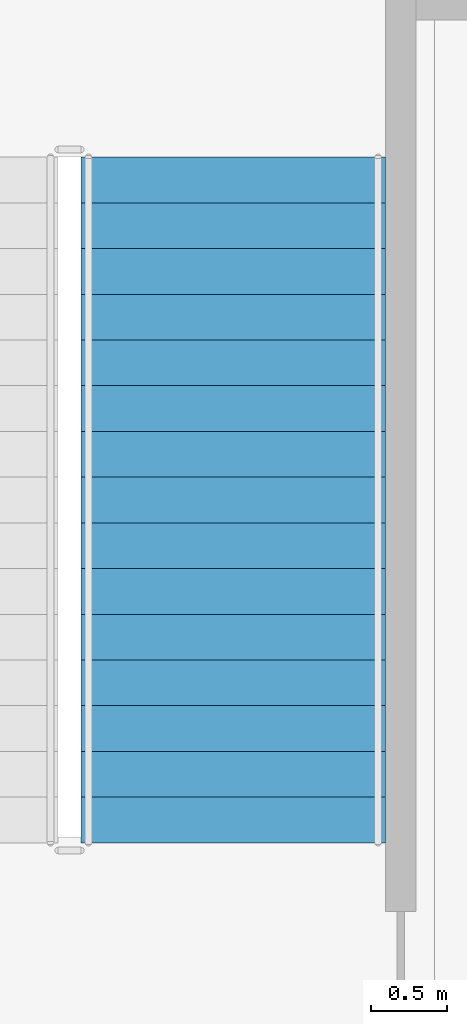
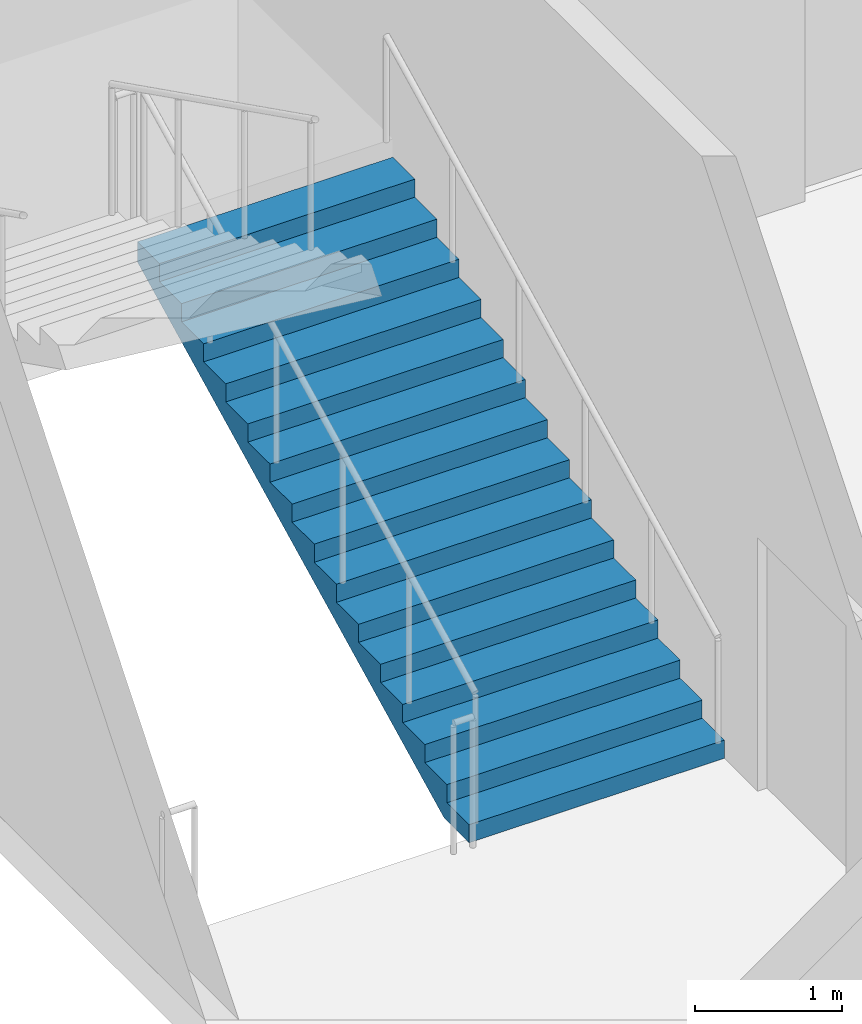
# One storey, part 59 of 86: 1 stair flight, 1 element without a shape of its own.
"""IFC4 building model written with IfcOpenShell, lengths in metres."""

from ifc_helpers import new_model, si_unit, direction, frame, origin, place, context, subcontext, project, spatial, faceted_brep, material, type_object, element, aggregate, save


model = new_model("IFC4")

# Units and contexts
model_context = context("Model", 3, precision=1e-05, world=origin(), true_north=direction((0.0, 1.0)))
body_context = subcontext(model_context, "Body", "Model", "MODEL_VIEW")
ifc_project = project(units=[si_unit("LENGTHUNIT", "METRE"), si_unit("AREAUNIT", "SQUARE_METRE"), si_unit("VOLUMEUNIT", "CUBIC_METRE"), si_unit("PLANEANGLEUNIT", "RADIAN"), si_unit("MASSUNIT", "GRAM", prefix="KILO")], contexts=[model_context])

# Site, building, storey
site_placement = place(None, origin())
site = spatial("IfcSite", under=ifc_project, at=site_placement, CompositionType="ELEMENT")
building_placement = place(site_placement, origin())
building = spatial("IfcBuilding", under=site, at=building_placement, Name="Kiln Court Media Centre", CompositionType="ELEMENT")
storey_placement = place(building_placement, frame((0.0, 0.0, 10.199951171875)))
storey = spatial("IfcBuildingStorey", under=building, at=storey_placement, Name="L02", CompositionType="ELEMENT", Elevation=10.199951171875)

# Stair, stair flight
ifc_material_1 = material(Name="Concrete C40/50", Category="concrete")
stair_type = type_object("IfcStairType", Name="Concrete C40/50 dog-leg stair 2000 wide, 150 riser", PredefinedType="HALF_TURN_STAIR", material=ifc_material_1)
stair_placement = place(storey_placement, origin())
stair = element("IfcStair", 1, at=stair_placement, inside=storey, type_object=stair_type, Name="ST-06 L02", PredefinedType="HALF_TURN_STAIR")
ifc_material_2 = material(Name="Concrete C40/50", Category="concrete")
stair_flight_type = type_object("IfcStairFlightType", Name="Concrete C40/50 stair flight 2000 wide, 150 riser, 300 going", PredefinedType="STRAIGHT", material=ifc_material_2)
stair_flight_placement = place(storey_placement, frame((3.60009765625, 36.39990234375, 0.0), z_axis=(0.0, 0.0, 1.0), x_axis=(0.0, 1.0, 0.0)))
stair_flight = element("IfcStairFlight", 2, at=stair_flight_placement, type_object=stair_flight_type, Name="L02-ST-5005 flight 5010", NumberOfRisers=16, NumberOfTreads=15, PredefinedType="STRAIGHT", RiserHeight=0.15, TreadLength=0.3, context=body_context, shape_type="Brep", body=[
    faceted_brep([(0.335205078125, -1.0, 0.0), (4.5, -1.0, 2.08251953125), (4.5, -1.0, 2.25), (4.199951171875, -1.0, 2.25), (4.199951171875, -1.0, 2.10009765625), (3.89990234375, -1.0, 2.10009765625), (3.89990234375, -1.0, 1.949951171875), (3.60009765625, -1.0, 1.949951171875), (3.60009765625, -1.0, 1.800048828125), (3.300048828125, -1.0, 1.800048828125), (3.300048828125, -1.0, 1.64990234375), (3.0, -1.0, 1.64990234375), (3.0, -1.0, 1.5), (2.699951171875, -1.0, 1.5), (2.699951171875, -1.0, 1.35009765625), (2.39990234375, -1.0, 1.35009765625), (2.39990234375, -1.0, 1.199951171875), (2.10009765625, -1.0, 1.199951171875), (2.10009765625, -1.0, 1.050048828125), (1.800048828125, -1.0, 1.050048828125), (1.800048828125, -1.0, 0.89990234375), (1.5, -1.0, 0.89990234375), (1.5, -1.0, 0.75), (1.199951171875, -1.0, 0.75), (1.199951171875, -1.0, 0.60009765625), (0.89990234375, -1.0, 0.60009765625), (0.89990234375, -1.0, 0.449951171875), (0.60009765625, -1.0, 0.449951171875), (0.60009765625, -1.0, 0.300048828125), (0.300048828125, -1.0, 0.300048828125), (0.300048828125, -1.0, 0.14990234375), (0.0, -1.0, 0.14990234375), (0.0, -1.0, 0.0), (0.0, 1.0, 0.0), (0.0, 1.0, 0.14990234375), (0.300048828125, 1.0, 0.14990234375), (0.300048828125, 1.0, 0.300048828125), (0.60009765625, 1.0, 0.300048828125), (0.60009765625, 1.0, 0.449951171875), (0.89990234375, 1.0, 0.449951171875), (0.89990234375, 1.0, 0.60009765625), (1.199951171875, 1.0, 0.60009765625), (1.199951171875, 1.0, 0.75), (1.5, 1.0, 0.75), (1.5, 1.0, 0.89990234375), (1.800048828125, 1.0, 0.89990234375), (1.800048828125, 1.0, 1.050048828125), (2.10009765625, 1.0, 1.050048828125), (2.10009765625, 1.0, 1.199951171875), (2.39990234375, 1.0, 1.199951171875), (2.39990234375, 1.0, 1.35009765625), (2.699951171875, 1.0, 1.35009765625), (2.699951171875, 1.0, 1.5), (3.0, 1.0, 1.5), (3.0, 1.0, 1.64990234375), (3.300048828125, 1.0, 1.64990234375), (3.300048828125, 1.0, 1.800048828125), (3.60009765625, 1.0, 1.800048828125), (3.60009765625, 1.0, 1.949951171875), (3.89990234375, 1.0, 1.949951171875), (3.89990234375, 1.0, 2.10009765625), (4.199951171875, 1.0, 2.10009765625), (4.199951171875, 1.0, 2.25), (4.5, 1.0, 2.25), (4.5, 1.0, 2.08251953125), (0.335205078125, 1.0, 0.0), (4.5, 0.10009765625, 2.08251953125), (0.335205078125, 0.10009765625, 0.0), (4.5, 0.080078125, 2.08251953125), (0.335205078125, 0.080078125, 0.0), (4.5, 0.06005859375, 2.08251953125), (0.335205078125, 0.06005859375, 0.0), (4.5, 0.0400390625, 2.08251953125), (0.335205078125, 0.0400390625, 0.0), (4.5, 0.02001953125, 2.08251953125), (0.335205078125, 0.02001953125, 0.0), (4.5, 0.0, 2.08251953125), (0.335205078125, 0.0, 0.0), (4.5, -0.02001953125, 2.08251953125), (0.335205078125, -0.02001953125, 0.0), (4.5, -0.0400390625, 2.08251953125), (0.335205078125, -0.0400390625, 0.0), (4.5, -0.06005859375, 2.08251953125), (0.335205078125, -0.06005859375, 0.0), (4.5, -0.080078125, 2.08251953125), (0.335205078125, -0.080078125, 0.0), (4.5, -0.10009765625, 2.08251953125), (0.335205078125, -0.10009765625, 0.0), (4.5, 0.10009765625, 2.25), (4.5, 0.080078125, 2.25), (4.5, 0.06005859375, 2.25), (4.5, 0.0400390625, 2.25), (4.5, 0.02001953125, 2.25), (4.5, 0.0, 2.25), (4.5, -0.02001953125, 2.25), (4.5, -0.0400390625, 2.25), (4.5, -0.06005859375, 2.25), (4.5, -0.080078125, 2.25), (4.5, -0.10009765625, 2.25), (4.199951171875, 0.10009765625, 2.25), (4.199951171875, 0.080078125, 2.25), (4.199951171875, 0.06005859375, 2.25), (4.199951171875, 0.0400390625, 2.25), (4.199951171875, 0.02001953125, 2.25), (4.199951171875, 0.0, 2.25), (4.199951171875, -0.02001953125, 2.25), (4.199951171875, -0.0400390625, 2.25), (4.199951171875, -0.06005859375, 2.25), (4.199951171875, -0.080078125, 2.25), (4.199951171875, -0.10009765625, 2.25), (4.199951171875, 0.10009765625, 2.10009765625), (4.199951171875, 0.080078125, 2.10009765625), (4.199951171875, 0.06005859375, 2.10009765625), (4.199951171875, 0.0400390625, 2.10009765625), (4.199951171875, 0.02001953125, 2.10009765625), (4.199951171875, 0.0, 2.10009765625), (4.199951171875, -0.02001953125, 2.10009765625), (4.199951171875, -0.0400390625, 2.10009765625), (4.199951171875, -0.06005859375, 2.10009765625), (4.199951171875, -0.080078125, 2.10009765625), (4.199951171875, -0.10009765625, 2.10009765625), (3.89990234375, 0.10009765625, 2.10009765625), (3.89990234375, 0.080078125, 2.10009765625), (3.89990234375, 0.06005859375, 2.10009765625), (3.89990234375, 0.0400390625, 2.10009765625), (3.89990234375, 0.02001953125, 2.10009765625), (3.89990234375, 0.0, 2.10009765625), (3.89990234375, -0.02001953125, 2.10009765625), (3.89990234375, -0.0400390625, 2.10009765625), (3.89990234375, -0.06005859375, 2.10009765625), (3.89990234375, -0.080078125, 2.10009765625), (3.89990234375, -0.10009765625, 2.10009765625), (3.89990234375, 0.10009765625, 1.949951171875), (3.89990234375, 0.080078125, 1.949951171875), (3.89990234375, 0.06005859375, 1.949951171875), (3.89990234375, 0.0400390625, 1.949951171875), (3.89990234375, 0.02001953125, 1.949951171875), (3.89990234375, 0.0, 1.949951171875), (3.89990234375, -0.02001953125, 1.949951171875), (3.89990234375, -0.0400390625, 1.949951171875), (3.89990234375, -0.06005859375, 1.949951171875), (3.89990234375, -0.080078125, 1.949951171875), (3.89990234375, -0.10009765625, 1.949951171875), (3.60009765625, 0.10009765625, 1.949951171875), (3.60009765625, 0.080078125, 1.949951171875), (3.60009765625, 0.06005859375, 1.949951171875), (3.60009765625, 0.0400390625, 1.949951171875), (3.60009765625, 0.02001953125, 1.949951171875), (3.60009765625, 0.0, 1.949951171875), (3.60009765625, -0.02001953125, 1.949951171875), (3.60009765625, -0.0400390625, 1.949951171875), (3.60009765625, -0.06005859375, 1.949951171875), (3.60009765625, -0.080078125, 1.949951171875), (3.60009765625, -0.10009765625, 1.949951171875), (3.60009765625, 0.10009765625, 1.800048828125), (3.60009765625, 0.080078125, 1.800048828125), (3.60009765625, 0.06005859375, 1.800048828125), (3.60009765625, 0.0400390625, 1.800048828125), (3.60009765625, 0.02001953125, 1.800048828125), (3.60009765625, 0.0, 1.800048828125), (3.60009765625, -0.02001953125, 1.800048828125), (3.60009765625, -0.0400390625, 1.800048828125), (3.60009765625, -0.06005859375, 1.800048828125), (3.60009765625, -0.080078125, 1.800048828125), (3.60009765625, -0.10009765625, 1.800048828125), (3.300048828125, 0.10009765625, 1.800048828125), (3.300048828125, 0.080078125, 1.800048828125), (3.300048828125, 0.06005859375, 1.800048828125), (3.300048828125, 0.0400390625, 1.800048828125), (3.300048828125, 0.02001953125, 1.800048828125), (3.300048828125, 0.0, 1.800048828125), (3.300048828125, -0.02001953125, 1.800048828125), (3.300048828125, -0.0400390625, 1.800048828125), (3.300048828125, -0.06005859375, 1.800048828125), (3.300048828125, -0.080078125, 1.800048828125), (3.300048828125, -0.10009765625, 1.800048828125), (3.300048828125, 0.10009765625, 1.64990234375), (3.300048828125, 0.080078125, 1.64990234375), (3.300048828125, 0.06005859375, 1.64990234375), (3.300048828125, 0.0400390625, 1.64990234375), (3.300048828125, 0.02001953125, 1.64990234375), (3.300048828125, 0.0, 1.64990234375), (3.300048828125, -0.02001953125, 1.64990234375), (3.300048828125, -0.0400390625, 1.64990234375), (3.300048828125, -0.06005859375, 1.64990234375), (3.300048828125, -0.080078125, 1.64990234375), (3.300048828125, -0.10009765625, 1.64990234375), (3.0, 0.10009765625, 1.64990234375), (3.0, 0.080078125, 1.64990234375), (3.0, 0.06005859375, 1.64990234375), (3.0, 0.0400390625, 1.64990234375), (3.0, 0.02001953125, 1.64990234375), (3.0, 0.0, 1.64990234375), (3.0, -0.02001953125, 1.64990234375), (3.0, -0.0400390625, 1.64990234375), (3.0, -0.06005859375, 1.64990234375), (3.0, -0.080078125, 1.64990234375), (3.0, -0.10009765625, 1.64990234375), (3.0, 0.10009765625, 1.5), (3.0, 0.080078125, 1.5), (3.0, 0.06005859375, 1.5), (3.0, 0.0400390625, 1.5), (3.0, 0.02001953125, 1.5), (3.0, 0.0, 1.5), (3.0, -0.02001953125, 1.5), (3.0, -0.0400390625, 1.5), (3.0, -0.06005859375, 1.5), (3.0, -0.080078125, 1.5), (3.0, -0.10009765625, 1.5), (2.699951171875, 0.10009765625, 1.5), (2.699951171875, 0.080078125, 1.5), (2.699951171875, 0.06005859375, 1.5), (2.699951171875, 0.0400390625, 1.5), (2.699951171875, 0.02001953125, 1.5), (2.699951171875, 0.0, 1.5), (2.699951171875, -0.02001953125, 1.5), (2.699951171875, -0.0400390625, 1.5), (2.699951171875, -0.06005859375, 1.5), (2.699951171875, -0.080078125, 1.5), (2.699951171875, -0.10009765625, 1.5), (2.699951171875, 0.10009765625, 1.35009765625), (2.699951171875, 0.080078125, 1.35009765625), (2.699951171875, 0.06005859375, 1.35009765625), (2.699951171875, 0.0400390625, 1.35009765625), (2.699951171875, 0.02001953125, 1.35009765625), (2.699951171875, 0.0, 1.35009765625), (2.699951171875, -0.02001953125, 1.35009765625), (2.699951171875, -0.0400390625, 1.35009765625), (2.699951171875, -0.06005859375, 1.35009765625), (2.699951171875, -0.080078125, 1.35009765625), (2.699951171875, -0.10009765625, 1.35009765625), (2.39990234375, 0.10009765625, 1.35009765625), (2.39990234375, 0.080078125, 1.35009765625), (2.39990234375, 0.06005859375, 1.35009765625), (2.39990234375, 0.0400390625, 1.35009765625), (2.39990234375, 0.02001953125, 1.35009765625), (2.39990234375, 0.0, 1.35009765625), (2.39990234375, -0.02001953125, 1.35009765625), (2.39990234375, -0.0400390625, 1.35009765625), (2.39990234375, -0.06005859375, 1.35009765625), (2.39990234375, -0.080078125, 1.35009765625), (2.39990234375, -0.10009765625, 1.35009765625), (2.39990234375, 0.10009765625, 1.199951171875), (2.39990234375, 0.080078125, 1.199951171875), (2.39990234375, 0.06005859375, 1.199951171875), (2.39990234375, 0.0400390625, 1.199951171875), (2.39990234375, 0.02001953125, 1.199951171875), (2.39990234375, 0.0, 1.199951171875), (2.39990234375, -0.02001953125, 1.199951171875), (2.39990234375, -0.0400390625, 1.199951171875), (2.39990234375, -0.06005859375, 1.199951171875), (2.39990234375, -0.080078125, 1.199951171875), (2.39990234375, -0.10009765625, 1.199951171875), (2.10009765625, 0.10009765625, 1.199951171875), (2.10009765625, 0.080078125, 1.199951171875), (2.10009765625, 0.06005859375, 1.199951171875), (2.10009765625, 0.0400390625, 1.199951171875), (2.10009765625, 0.02001953125, 1.199951171875), (2.10009765625, 0.0, 1.199951171875), (2.10009765625, -0.02001953125, 1.199951171875), (2.10009765625, -0.0400390625, 1.199951171875), (2.10009765625, -0.06005859375, 1.199951171875), (2.10009765625, -0.080078125, 1.199951171875), (2.10009765625, -0.10009765625, 1.199951171875), (2.10009765625, 0.10009765625, 1.050048828125), (2.10009765625, 0.080078125, 1.050048828125), (2.10009765625, 0.06005859375, 1.050048828125), (2.10009765625, 0.0400390625, 1.050048828125), (2.10009765625, 0.02001953125, 1.050048828125), (2.10009765625, 0.0, 1.050048828125), (2.10009765625, -0.02001953125, 1.050048828125), (2.10009765625, -0.0400390625, 1.050048828125), (2.10009765625, -0.06005859375, 1.050048828125), (2.10009765625, -0.080078125, 1.050048828125), (2.10009765625, -0.10009765625, 1.050048828125), (1.800048828125, 0.10009765625, 1.050048828125), (1.800048828125, 0.080078125, 1.050048828125), (1.800048828125, 0.06005859375, 1.050048828125), (1.800048828125, 0.0400390625, 1.050048828125), (1.800048828125, 0.02001953125, 1.050048828125), (1.800048828125, 0.0, 1.050048828125), (1.800048828125, -0.02001953125, 1.050048828125), (1.800048828125, -0.0400390625, 1.050048828125), (1.800048828125, -0.06005859375, 1.050048828125), (1.800048828125, -0.080078125, 1.050048828125), (1.800048828125, -0.10009765625, 1.050048828125), (1.800048828125, 0.10009765625, 0.89990234375), (1.800048828125, 0.080078125, 0.89990234375), (1.800048828125, 0.06005859375, 0.89990234375), (1.800048828125, 0.0400390625, 0.89990234375), (1.800048828125, 0.02001953125, 0.89990234375), (1.800048828125, 0.0, 0.89990234375), (1.800048828125, -0.02001953125, 0.89990234375), (1.800048828125, -0.0400390625, 0.89990234375), (1.800048828125, -0.06005859375, 0.89990234375), (1.800048828125, -0.080078125, 0.89990234375), (1.800048828125, -0.10009765625, 0.89990234375), (1.5, 0.10009765625, 0.89990234375), (1.5, 0.080078125, 0.89990234375), (1.5, 0.06005859375, 0.89990234375), (1.5, 0.0400390625, 0.89990234375), (1.5, 0.02001953125, 0.89990234375), (1.5, 0.0, 0.89990234375), (1.5, -0.02001953125, 0.89990234375), (1.5, -0.0400390625, 0.89990234375), (1.5, -0.06005859375, 0.89990234375), (1.5, -0.080078125, 0.89990234375), (1.5, -0.10009765625, 0.89990234375), (1.5, 0.10009765625, 0.75), (1.5, 0.080078125, 0.75), (1.5, 0.06005859375, 0.75), (1.5, 0.0400390625, 0.75), (1.5, 0.02001953125, 0.75), (1.5, 0.0, 0.75), (1.5, -0.02001953125, 0.75), (1.5, -0.0400390625, 0.75), (1.5, -0.06005859375, 0.75), (1.5, -0.080078125, 0.75), (1.5, -0.10009765625, 0.75), (1.199951171875, 0.10009765625, 0.75), (1.199951171875, 0.080078125, 0.75), (1.199951171875, 0.06005859375, 0.75), (1.199951171875, 0.0400390625, 0.75), (1.199951171875, 0.02001953125, 0.75), (1.199951171875, 0.0, 0.75), (1.199951171875, -0.02001953125, 0.75), (1.199951171875, -0.0400390625, 0.75), (1.199951171875, -0.06005859375, 0.75), (1.199951171875, -0.080078125, 0.75), (1.199951171875, -0.10009765625, 0.75), (1.199951171875, 0.10009765625, 0.60009765625), (1.199951171875, 0.080078125, 0.60009765625), (1.199951171875, 0.06005859375, 0.60009765625), (1.199951171875, 0.0400390625, 0.60009765625), (1.199951171875, 0.02001953125, 0.60009765625), (1.199951171875, 0.0, 0.60009765625), (1.199951171875, -0.02001953125, 0.60009765625), (1.199951171875, -0.0400390625, 0.60009765625), (1.199951171875, -0.06005859375, 0.60009765625), (1.199951171875, -0.080078125, 0.60009765625), (1.199951171875, -0.10009765625, 0.60009765625), (0.89990234375, 0.10009765625, 0.60009765625), (0.89990234375, 0.080078125, 0.60009765625), (0.89990234375, 0.06005859375, 0.60009765625), (0.89990234375, 0.0400390625, 0.60009765625), (0.89990234375, 0.02001953125, 0.60009765625), (0.89990234375, 0.0, 0.60009765625), (0.89990234375, -0.02001953125, 0.60009765625), (0.89990234375, -0.0400390625, 0.60009765625), (0.89990234375, -0.06005859375, 0.60009765625), (0.89990234375, -0.080078125, 0.60009765625), (0.89990234375, -0.10009765625, 0.60009765625), (0.89990234375, 0.10009765625, 0.449951171875), (0.89990234375, 0.080078125, 0.449951171875), (0.89990234375, 0.06005859375, 0.449951171875), (0.89990234375, 0.0400390625, 0.449951171875), (0.89990234375, 0.02001953125, 0.449951171875), (0.89990234375, 0.0, 0.449951171875), (0.89990234375, -0.02001953125, 0.449951171875), (0.89990234375, -0.0400390625, 0.449951171875), (0.89990234375, -0.06005859375, 0.449951171875), (0.89990234375, -0.080078125, 0.449951171875), (0.89990234375, -0.10009765625, 0.449951171875), (0.60009765625, 0.10009765625, 0.449951171875), (0.60009765625, 0.080078125, 0.449951171875), (0.60009765625, 0.06005859375, 0.449951171875), (0.60009765625, 0.0400390625, 0.449951171875), (0.60009765625, 0.02001953125, 0.449951171875), (0.60009765625, 0.0, 0.449951171875), (0.60009765625, -0.02001953125, 0.449951171875), (0.60009765625, -0.0400390625, 0.449951171875), (0.60009765625, -0.06005859375, 0.449951171875), (0.60009765625, -0.080078125, 0.449951171875), (0.60009765625, -0.10009765625, 0.449951171875), (0.60009765625, 0.10009765625, 0.300048828125), (0.60009765625, 0.080078125, 0.300048828125), (0.60009765625, 0.06005859375, 0.300048828125), (0.60009765625, 0.0400390625, 0.300048828125), (0.60009765625, 0.02001953125, 0.300048828125), (0.60009765625, 0.0, 0.300048828125), (0.60009765625, -0.02001953125, 0.300048828125), (0.60009765625, -0.0400390625, 0.300048828125), (0.60009765625, -0.06005859375, 0.300048828125), (0.60009765625, -0.080078125, 0.300048828125), (0.60009765625, -0.10009765625, 0.300048828125), (0.300048828125, 0.10009765625, 0.300048828125), (0.300048828125, 0.080078125, 0.300048828125), (0.300048828125, 0.06005859375, 0.300048828125), (0.300048828125, 0.0400390625, 0.300048828125), (0.300048828125, 0.02001953125, 0.300048828125), (0.300048828125, 0.0, 0.300048828125), (0.300048828125, -0.02001953125, 0.300048828125), (0.300048828125, -0.0400390625, 0.300048828125), (0.300048828125, -0.06005859375, 0.300048828125), (0.300048828125, -0.080078125, 0.300048828125), (0.300048828125, -0.10009765625, 0.300048828125), (0.300048828125, 0.10009765625, 0.14990234375), (0.300048828125, 0.080078125, 0.14990234375), (0.300048828125, 0.06005859375, 0.14990234375), (0.300048828125, 0.0400390625, 0.14990234375), (0.300048828125, 0.02001953125, 0.14990234375), (0.300048828125, 0.0, 0.14990234375), (0.300048828125, -0.02001953125, 0.14990234375), (0.300048828125, -0.0400390625, 0.14990234375), (0.300048828125, -0.06005859375, 0.14990234375), (0.300048828125, -0.080078125, 0.14990234375), (0.300048828125, -0.10009765625, 0.14990234375), (0.0, 0.10009765625, 0.14990234375), (0.0, 0.080078125, 0.14990234375), (0.0, 0.06005859375, 0.14990234375), (0.0, 0.0400390625, 0.14990234375), (0.0, 0.02001953125, 0.14990234375), (0.0, 0.0, 0.14990234375), (0.0, -0.02001953125, 0.14990234375), (0.0, -0.0400390625, 0.14990234375), (0.0, -0.06005859375, 0.14990234375), (0.0, -0.080078125, 0.14990234375), (0.0, -0.10009765625, 0.14990234375), (0.0, 0.10009765625, 0.0), (0.0, 0.080078125, 0.0), (0.0, 0.06005859375, 0.0), (0.0, 0.0400390625, 0.0), (0.0, 0.02001953125, 0.0), (0.0, 0.0, 0.0), (0.0, -0.02001953125, 0.0), (0.0, -0.0400390625, 0.0), (0.0, -0.06005859375, 0.0), (0.0, -0.080078125, 0.0), (0.0, -0.10009765625, 0.0)], [[[0, 1, 2, 3, 4, 5, 6, 7, 8, 9, 10, 11, 12, 13, 14, 15, 16, 17, 18, 19, 20, 21, 22, 23, 24, 25, 26, 27, 28, 29, 30, 31, 32]], [[33, 34, 35, 36, 37, 38, 39, 40, 41, 42, 43, 44, 45, 46, 47, 48, 49, 50, 51, 52, 53, 54, 55, 56, 57, 58, 59, 60, 61, 62, 63, 64, 65]], [[65, 64, 66, 67]], [[67, 66, 68, 69]], [[69, 68, 70, 71]], [[71, 70, 72, 73]], [[73, 72, 74, 75]], [[75, 74, 76, 77]], [[77, 76, 78, 79]], [[79, 78, 80, 81]], [[81, 80, 82, 83]], [[83, 82, 84, 85]], [[85, 84, 86, 87]], [[87, 86, 1, 0]], [[64, 63, 88, 66]], [[66, 88, 89, 68]], [[68, 89, 90, 70]], [[70, 90, 91, 72]], [[72, 91, 92, 74]], [[74, 92, 93, 76]], [[76, 93, 94, 78]], [[78, 94, 95, 80]], [[80, 95, 96, 82]], [[82, 96, 97, 84]], [[84, 97, 98, 86]], [[86, 98, 2, 1]], [[63, 62, 99, 88]], [[88, 99, 100, 89]], [[89, 100, 101, 90]], [[90, 101, 102, 91]], [[91, 102, 103, 92]], [[92, 103, 104, 93]], [[93, 104, 105, 94]], [[94, 105, 106, 95]], [[95, 106, 107, 96]], [[96, 107, 108, 97]], [[97, 108, 109, 98]], [[98, 109, 3, 2]], [[62, 61, 110, 99]], [[99, 110, 111, 100]], [[100, 111, 112, 101]], [[101, 112, 113, 102]], [[102, 113, 114, 103]], [[103, 114, 115, 104]], [[104, 115, 116, 105]], [[105, 116, 117, 106]], [[106, 117, 118, 107]], [[107, 118, 119, 108]], [[108, 119, 120, 109]], [[109, 120, 4, 3]], [[61, 60, 121, 110]], [[110, 121, 122, 111]], [[111, 122, 123, 112]], [[112, 123, 124, 113]], [[113, 124, 125, 114]], [[114, 125, 126, 115]], [[115, 126, 127, 116]], [[116, 127, 128, 117]], [[117, 128, 129, 118]], [[118, 129, 130, 119]], [[119, 130, 131, 120]], [[120, 131, 5, 4]], [[60, 59, 132, 121]], [[121, 132, 133, 122]], [[122, 133, 134, 123]], [[123, 134, 135, 124]], [[124, 135, 136, 125]], [[125, 136, 137, 126]], [[126, 137, 138, 127]], [[127, 138, 139, 128]], [[128, 139, 140, 129]], [[129, 140, 141, 130]], [[130, 141, 142, 131]], [[131, 142, 6, 5]], [[59, 58, 143, 132]], [[132, 143, 144, 133]], [[133, 144, 145, 134]], [[134, 145, 146, 135]], [[135, 146, 147, 136]], [[136, 147, 148, 137]], [[137, 148, 149, 138]], [[138, 149, 150, 139]], [[139, 150, 151, 140]], [[140, 151, 152, 141]], [[141, 152, 153, 142]], [[142, 153, 7, 6]], [[58, 57, 154, 143]], [[143, 154, 155, 144]], [[144, 155, 156, 145]], [[145, 156, 157, 146]], [[146, 157, 158, 147]], [[147, 158, 159, 148]], [[148, 159, 160, 149]], [[149, 160, 161, 150]], [[150, 161, 162, 151]], [[151, 162, 163, 152]], [[152, 163, 164, 153]], [[153, 164, 8, 7]], [[57, 56, 165, 154]], [[154, 165, 166, 155]], [[155, 166, 167, 156]], [[156, 167, 168, 157]], [[157, 168, 169, 158]], [[158, 169, 170, 159]], [[159, 170, 171, 160]], [[160, 171, 172, 161]], [[161, 172, 173, 162]], [[162, 173, 174, 163]], [[163, 174, 175, 164]], [[164, 175, 9, 8]], [[56, 55, 176, 165]], [[165, 176, 177, 166]], [[166, 177, 178, 167]], [[167, 178, 179, 168]], [[168, 179, 180, 169]], [[169, 180, 181, 170]], [[170, 181, 182, 171]], [[171, 182, 183, 172]], [[172, 183, 184, 173]], [[173, 184, 185, 174]], [[174, 185, 186, 175]], [[175, 186, 10, 9]], [[55, 54, 187, 176]], [[176, 187, 188, 177]], [[177, 188, 189, 178]], [[178, 189, 190, 179]], [[179, 190, 191, 180]], [[180, 191, 192, 181]], [[181, 192, 193, 182]], [[182, 193, 194, 183]], [[183, 194, 195, 184]], [[184, 195, 196, 185]], [[185, 196, 197, 186]], [[186, 197, 11, 10]], [[54, 53, 198, 187]], [[187, 198, 199, 188]], [[188, 199, 200, 189]], [[189, 200, 201, 190]], [[190, 201, 202, 191]], [[191, 202, 203, 192]], [[192, 203, 204, 193]], [[193, 204, 205, 194]], [[194, 205, 206, 195]], [[195, 206, 207, 196]], [[196, 207, 208, 197]], [[197, 208, 12, 11]], [[53, 52, 209, 198]], [[198, 209, 210, 199]], [[199, 210, 211, 200]], [[200, 211, 212, 201]], [[201, 212, 213, 202]], [[202, 213, 214, 203]], [[203, 214, 215, 204]], [[204, 215, 216, 205]], [[205, 216, 217, 206]], [[206, 217, 218, 207]], [[207, 218, 219, 208]], [[208, 219, 13, 12]], [[52, 51, 220, 209]], [[209, 220, 221, 210]], [[210, 221, 222, 211]], [[211, 222, 223, 212]], [[212, 223, 224, 213]], [[213, 224, 225, 214]], [[214, 225, 226, 215]], [[215, 226, 227, 216]], [[216, 227, 228, 217]], [[217, 228, 229, 218]], [[218, 229, 230, 219]], [[219, 230, 14, 13]], [[51, 50, 231, 220]], [[220, 231, 232, 221]], [[221, 232, 233, 222]], [[222, 233, 234, 223]], [[223, 234, 235, 224]], [[224, 235, 236, 225]], [[225, 236, 237, 226]], [[226, 237, 238, 227]], [[227, 238, 239, 228]], [[228, 239, 240, 229]], [[229, 240, 241, 230]], [[230, 241, 15, 14]], [[50, 49, 242, 231]], [[231, 242, 243, 232]], [[232, 243, 244, 233]], [[233, 244, 245, 234]], [[234, 245, 246, 235]], [[235, 246, 247, 236]], [[236, 247, 248, 237]], [[237, 248, 249, 238]], [[238, 249, 250, 239]], [[239, 250, 251, 240]], [[240, 251, 252, 241]], [[241, 252, 16, 15]], [[49, 48, 253, 242]], [[242, 253, 254, 243]], [[243, 254, 255, 244]], [[244, 255, 256, 245]], [[245, 256, 257, 246]], [[246, 257, 258, 247]], [[247, 258, 259, 248]], [[248, 259, 260, 249]], [[249, 260, 261, 250]], [[250, 261, 262, 251]], [[251, 262, 263, 252]], [[252, 263, 17, 16]], [[48, 47, 264, 253]], [[253, 264, 265, 254]], [[254, 265, 266, 255]], [[255, 266, 267, 256]], [[256, 267, 268, 257]], [[257, 268, 269, 258]], [[258, 269, 270, 259]], [[259, 270, 271, 260]], [[260, 271, 272, 261]], [[261, 272, 273, 262]], [[262, 273, 274, 263]], [[263, 274, 18, 17]], [[47, 46, 275, 264]], [[264, 275, 276, 265]], [[265, 276, 277, 266]], [[266, 277, 278, 267]], [[267, 278, 279, 268]], [[268, 279, 280, 269]], [[269, 280, 281, 270]], [[270, 281, 282, 271]], [[271, 282, 283, 272]], [[272, 283, 284, 273]], [[273, 284, 285, 274]], [[274, 285, 19, 18]], [[46, 45, 286, 275]], [[275, 286, 287, 276]], [[276, 287, 288, 277]], [[277, 288, 289, 278]], [[278, 289, 290, 279]], [[279, 290, 291, 280]], [[280, 291, 292, 281]], [[281, 292, 293, 282]], [[282, 293, 294, 283]], [[283, 294, 295, 284]], [[284, 295, 296, 285]], [[285, 296, 20, 19]], [[45, 44, 297, 286]], [[286, 297, 298, 287]], [[287, 298, 299, 288]], [[288, 299, 300, 289]], [[289, 300, 301, 290]], [[290, 301, 302, 291]], [[291, 302, 303, 292]], [[292, 303, 304, 293]], [[293, 304, 305, 294]], [[294, 305, 306, 295]], [[295, 306, 307, 296]], [[296, 307, 21, 20]], [[44, 43, 308, 297]], [[297, 308, 309, 298]], [[298, 309, 310, 299]], [[299, 310, 311, 300]], [[300, 311, 312, 301]], [[301, 312, 313, 302]], [[302, 313, 314, 303]], [[303, 314, 315, 304]], [[304, 315, 316, 305]], [[305, 316, 317, 306]], [[306, 317, 318, 307]], [[307, 318, 22, 21]], [[43, 42, 319, 308]], [[308, 319, 320, 309]], [[309, 320, 321, 310]], [[310, 321, 322, 311]], [[311, 322, 323, 312]], [[312, 323, 324, 313]], [[313, 324, 325, 314]], [[314, 325, 326, 315]], [[315, 326, 327, 316]], [[316, 327, 328, 317]], [[317, 328, 329, 318]], [[318, 329, 23, 22]], [[42, 41, 330, 319]], [[319, 330, 331, 320]], [[320, 331, 332, 321]], [[321, 332, 333, 322]], [[322, 333, 334, 323]], [[323, 334, 335, 324]], [[324, 335, 336, 325]], [[325, 336, 337, 326]], [[326, 337, 338, 327]], [[327, 338, 339, 328]], [[328, 339, 340, 329]], [[329, 340, 24, 23]], [[41, 40, 341, 330]], [[330, 341, 342, 331]], [[331, 342, 343, 332]], [[332, 343, 344, 333]], [[333, 344, 345, 334]], [[334, 345, 346, 335]], [[335, 346, 347, 336]], [[336, 347, 348, 337]], [[337, 348, 349, 338]], [[338, 349, 350, 339]], [[339, 350, 351, 340]], [[340, 351, 25, 24]], [[40, 39, 352, 341]], [[341, 352, 353, 342]], [[342, 353, 354, 343]], [[343, 354, 355, 344]], [[344, 355, 356, 345]], [[345, 356, 357, 346]], [[346, 357, 358, 347]], [[347, 358, 359, 348]], [[348, 359, 360, 349]], [[349, 360, 361, 350]], [[350, 361, 362, 351]], [[351, 362, 26, 25]], [[39, 38, 363, 352]], [[352, 363, 364, 353]], [[353, 364, 365, 354]], [[354, 365, 366, 355]], [[355, 366, 367, 356]], [[356, 367, 368, 357]], [[357, 368, 369, 358]], [[358, 369, 370, 359]], [[359, 370, 371, 360]], [[360, 371, 372, 361]], [[361, 372, 373, 362]], [[362, 373, 27, 26]], [[38, 37, 374, 363]], [[363, 374, 375, 364]], [[364, 375, 376, 365]], [[365, 376, 377, 366]], [[366, 377, 378, 367]], [[367, 378, 379, 368]], [[368, 379, 380, 369]], [[369, 380, 381, 370]], [[370, 381, 382, 371]], [[371, 382, 383, 372]], [[372, 383, 384, 373]], [[373, 384, 28, 27]], [[37, 36, 385, 374]], [[374, 385, 386, 375]], [[375, 386, 387, 376]], [[376, 387, 388, 377]], [[377, 388, 389, 378]], [[378, 389, 390, 379]], [[379, 390, 391, 380]], [[380, 391, 392, 381]], [[381, 392, 393, 382]], [[382, 393, 394, 383]], [[383, 394, 395, 384]], [[384, 395, 29, 28]], [[36, 35, 396, 385]], [[385, 396, 397, 386]], [[386, 397, 398, 387]], [[387, 398, 399, 388]], [[388, 399, 400, 389]], [[389, 400, 401, 390]], [[390, 401, 402, 391]], [[391, 402, 403, 392]], [[392, 403, 404, 393]], [[393, 404, 405, 394]], [[394, 405, 406, 395]], [[395, 406, 30, 29]], [[35, 34, 407, 396]], [[396, 407, 408, 397]], [[397, 408, 409, 398]], [[398, 409, 410, 399]], [[399, 410, 411, 400]], [[400, 411, 412, 401]], [[401, 412, 413, 402]], [[402, 413, 414, 403]], [[403, 414, 415, 404]], [[404, 415, 416, 405]], [[405, 416, 417, 406]], [[406, 417, 31, 30]], [[34, 33, 418, 407]], [[407, 418, 419, 408]], [[408, 419, 420, 409]], [[409, 420, 421, 410]], [[410, 421, 422, 411]], [[411, 422, 423, 412]], [[412, 423, 424, 413]], [[413, 424, 425, 414]], [[414, 425, 426, 415]], [[415, 426, 427, 416]], [[416, 427, 428, 417]], [[417, 428, 32, 31]], [[33, 65, 67, 418]], [[418, 67, 69, 419]], [[419, 69, 71, 420]], [[420, 71, 73, 421]], [[421, 73, 75, 422]], [[422, 75, 77, 423]], [[423, 77, 79, 424]], [[424, 79, 81, 425]], [[425, 81, 83, 426]], [[426, 83, 85, 427]], [[427, 85, 87, 428]], [[428, 87, 0, 32]]]),
])
aggregate(stair, [stair_flight])

save(model, "model.ifc")
